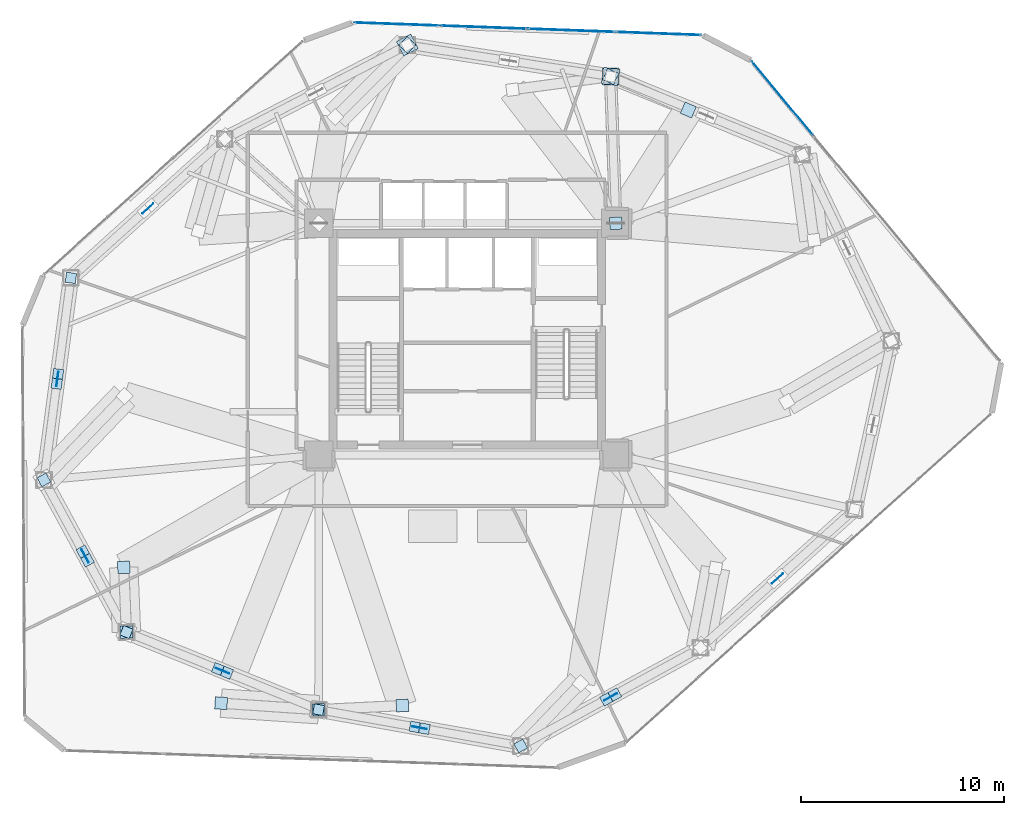
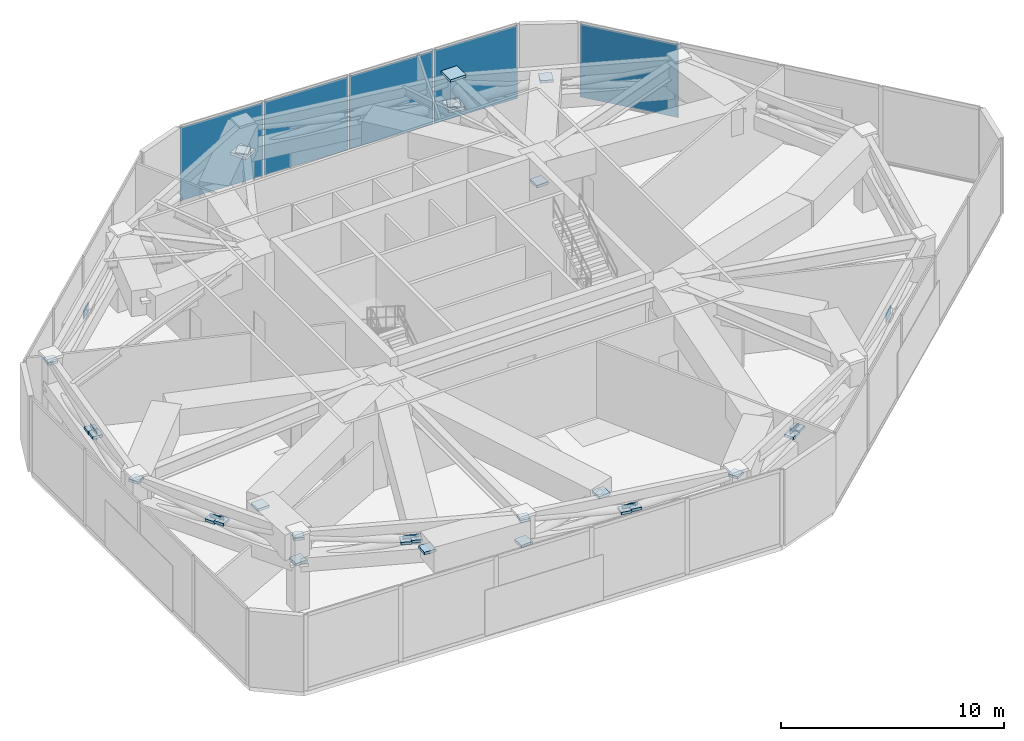
# One storey, part 20 of 25: 39 plates, 2 elements without a shape of their own.
"""IFC4 building model written with IfcOpenShell, lengths in metres."""

from ifc_helpers import new_model, si_unit, direction, frame, origin, origin_2d, place, context, subcontext, project, spatial, rectangle, extrude, source, transform, mapped, material, layer, layer_set, type_object, type_shapes, element, aggregate, save


model = new_model("IFC4")

# Units and contexts
model_context = context("Model", 3, precision=1e-05, world=origin(), true_north=direction((0.0, 1.0)))
body_context = subcontext(model_context, "Body", "Model", "MODEL_VIEW")
ifc_project = project(units=[si_unit("LENGTHUNIT", "METRE"), si_unit("AREAUNIT", "SQUARE_METRE"), si_unit("VOLUMEUNIT", "CUBIC_METRE"), si_unit("PLANEANGLEUNIT", "RADIAN"), si_unit("MASSUNIT", "GRAM", prefix="KILO")], contexts=[model_context])

# Site, building, storey
site_placement = place(None, origin())
site = spatial("IfcSite", under=ifc_project, at=site_placement, CompositionType="ELEMENT")
building_placement = place(site_placement, origin())
building = spatial("IfcBuilding", under=site, at=building_placement, Name="Talar Marvaseh", CompositionType="ELEMENT")
storey_placement = place(building_placement, frame((0.0, 0.0, 84.800048828125)))
storey = spatial("IfcBuildingStorey", under=building, at=storey_placement, Name="L21", CompositionType="ELEMENT", Elevation=84.800048828125)

# Plates
ifc_material_1 = material(Name="Steel S460", Category="steel")
ifc_layer_1 = layer(ifc_material_1, 0.02490234375)
ifc_layer_set_1 = layer_set([ifc_layer_1], Name="Steel S460")
plate_type_1 = type_object("IfcPlateType", Name="Crown Box End Closure Cap Plate 25", PredefinedType="USERDEFINED", material=ifc_layer_set_1)
shared_shape_1 = source(origin(), body_context, "Body", "SweptSolid", [
    extrude(rectangle(XDim=0.5, YDim=0.5, at=origin_2d()), origin(), (0.0, 0.0, 1.0), 0.139892578125),
])
type_shapes(plate_type_1, [shared_shape_1])
for number, where, z_axis, x_axis, name in (
    (1, (28.625, 11.195068359375, 3.77978515625), (0.0, 0.0, 1.0), (-0.877982975428, -0.478691857941, 0.0), "L21 Hollow Member End Cap Plate"),
    (2, (32.837646484375, 13.493896484375, 3.0732421875), (0.0, 0.0, 1.0), (0.877982975428, 0.478691857941, 0.0), "L21 Hollow Member End Cap Plate"),
    (3, (33.25537109375, 13.721923828125, 3.13671875), (0.0, 0.0, 1.0), (0.877982975428, 0.478691857941, 0.0), "L21 Hollow Member End Cap Plate"),
    (4, (18.68310546875, 12.97900390625, 3.77978515625), (0.0, 0.0, 1.0), (-0.984195607969, 0.17708474032, 0.0), "L21 Hollow Member End Cap Plate"),
    (5, (23.419921875, 12.12890625, 3.0732421875), (0.0, 0.0, 1.0), (0.984195607969, -0.17708474032, 0.0), "L21 Hollow Member End Cap Plate"),
    (6, (23.88818359375, 12.044921875, 3.13671875), (0.0, 0.0, 1.0), (0.984195607969, -0.17708474032, 0.0), "L21 Hollow Member End Cap Plate"),
    (7, (9.23193359375, 16.7958984375, 3.77978515625), (0.0, 0.0, 1.0), (-0.927183854567, 0.374606593416, 0.0), "L21 Hollow Member End Cap Plate"),
    (8, (13.73681640625, 14.9765625, 3.07373046875), (0.0, 0.0, 1.0), (0.927183854567, -0.374606593416, 0.0), "L21 Hollow Member End Cap Plate"),
    (9, (14.177978515625, 14.79833984375, 3.13671875), (0.0, 0.0, 1.0), (0.927183854567, -0.374606593416, 0.0), "L21 Hollow Member End Cap Plate"),
    (10, (5.175048828125, 24.27587890625, 3.77978515625), (0.0, 0.0, 1.0), (-0.47715876026, 0.878817112662, 0.0), "L21 Hollow Member End Cap Plate"),
    (11, (7.090576171875, 20.744384765625, 3.0673828125), (0.0, 0.0, 1.0), (0.47715876026, -0.878817112662, 0.0), "L21 Hollow Member End Cap Plate"),
    (12, (7.31640625, 20.32763671875, 3.142578125), (0.0, 0.0, 1.0), (0.47715876026, -0.878817112662, 0.0), "L21 Hollow Member End Cap Plate"),
    (13, (6.501953125, 34.214111328125, 3.77978515625), (0.0, 0.0, 1.0), (0.132256390257, 0.991215540252, 0.0), "L21 Hollow Member End Cap Plate"),
    (14, (5.8701171875, 29.480712890625, 3.0732421875), (0.0, 0.0, 1.0), (-0.132256390257, -0.991215540252, 0.0), "L21 Hollow Member End Cap Plate"),
    (15, (5.806884765625, 29.00927734375, 3.13720703125), (0.0, 0.0, 1.0), (-0.132256390257, -0.991215540252, 0.0), "L21 Hollow Member End Cap Plate"),
):
    element("IfcPlate", number, at=place(storey_placement, frame(where, z_axis=z_axis, x_axis=x_axis)), inside=storey, type_object=plate_type_1, Name=name, ObjectType="CAP_PLATE", PredefinedType="USERDEFINED", context=body_context, shape_type="MappedRepresentation", body=[
        mapped(shared_shape_1, transform((0.0, 0.0, 0.0), x_axis=(1.0, 0.0, 0.0), y_axis=(0.0, 1.0, 0.0), z_axis=(0.0, 0.0, 1.0), scale=1.0)),
    ])
ifc_layer_2 = layer(ifc_material_1, 0.034912109375)
ifc_layer_set_2 = layer_set([ifc_layer_2], Name="Steel S460")
plate_type_2 = type_object("IfcPlateType", Name="Belt Truss Post Closure Cap Plate 35", PredefinedType="USERDEFINED", material=ifc_layer_set_2)
shared_shape_2 = source(origin(), body_context, "Body", "SweptSolid", [
    extrude(rectangle(XDim=0.800048828125, YDim=0.800048828125, at=origin_2d()), origin(), (0.0, 0.0, 1.0), 0.139892578125),
])
for number, where, z_axis, x_axis, name in (
    (16, (23.047119140625, 45.6669921875, 2.43017578125), (0.0, 0.0, 1.0), (0.888617232655, 0.458649554484, 0.0), "L21 Hollow Member End Cap Plate"),
    (17, (33.0458984375, 44.117919921875, 2.43017578125), (0.0, 0.0, 1.0), (0.988228381447, -0.152985836284, 0.0), "L21 Hollow Member End Cap Plate"),
):
    element("IfcPlate", number, at=place(storey_placement, frame(where, z_axis=z_axis, x_axis=x_axis)), inside=storey, type_object=plate_type_2, Name=name, ObjectType="CAP_PLATE", PredefinedType="USERDEFINED", context=body_context, shape_type="MappedRepresentation", body=[
        mapped(shared_shape_2, transform((0.0, 0.0, 0.0), x_axis=(1.0, 0.0, 0.0), y_axis=(0.0, 1.0, 0.0), z_axis=(0.0, 0.0, 1.0), scale=1.0)),
    ])
ifc_layer_3 = layer(ifc_material_1, 0.030029296875)
ifc_layer_set_3 = layer_set([ifc_layer_3], Name="Steel S460")
plate_type_3 = type_object("IfcPlateType", Name="Heavy Box End Closure Cap Plate 30", PredefinedType="USERDEFINED", material=ifc_layer_set_3)
shared_shape_3 = source(origin(), body_context, "Body", "SweptSolid", [
    extrude(rectangle(XDim=0.60009765625, YDim=0.60009765625, at=origin_2d()), origin(), (0.0, 0.0, 1.0), 0.139892578125),
])
type_shapes(plate_type_3, [shared_shape_3])
for number, where, z_axis, x_axis, name in (
    (18, (33.300048828125, 36.89990234375, 2.52978515625), (0.0, 0.0, 1.0), (-0.034899496703, 0.999390827019, 0.0), "L21 Hollow Member End Cap Plate"),
    (19, (33.0458984375, 44.117919921875, 2.47998046875), (0.0, 0.0, 1.0), (0.918446381343, -0.395545502563, 0.0), "L21 Hollow Member End Cap Plate"),
    (20, (36.865966796875, 42.470947265625, 3.580078125), (0.0, 0.0, 1.0), (0.918446381343, -0.395545502563, 0.0), "L21 Hollow Member End Cap Plate"),
    (21, (18.68310546875, 12.97900390625, 2.47998046875), (0.0, 0.0, 1.0), (0.998806137341, 0.048849769796, 0.0), "L21 Hollow Member End Cap Plate"),
    (22, (22.804931640625, 13.18310546875, 3.580078125), (0.0, 0.0, 1.0), (0.998806137341, 0.048849769796, 0.0), "L21 Hollow Member End Cap Plate"),
    (23, (13.89111328125, 13.299072265625, 3.580078125), (0.0, 0.0, 1.0), (-0.997801468292, 0.0662739004, 0.0), "L21 Hollow Member End Cap Plate"),
    (24, (9.23193359375, 16.7958984375, 2.47998046875), (0.0, 0.0, 1.0), (-0.041875653729, 0.999122830099, 0.0), "L21 Hollow Member End Cap Plate"),
    (25, (9.10107421875, 19.97705078125, 3.580078125), (0.0, 0.0, 1.0), (-0.041875653729, 0.999122830099, 0.0), "L21 Hollow Member End Cap Plate"),
    (26, (23.047119140625, 45.6669921875, 2.47998046875), (0.0, 0.0, 1.0), (-0.707106781187, -0.707106781187, 0.0), "L21 Hollow Member End Cap Plate"),
):
    element("IfcPlate", number, at=place(storey_placement, frame(where, z_axis=z_axis, x_axis=x_axis)), inside=storey, type_object=plate_type_3, Name=name, ObjectType="CAP_PLATE", PredefinedType="USERDEFINED", context=body_context, shape_type="MappedRepresentation", body=[
        mapped(shared_shape_3, transform((0.0, 0.0, 0.0), x_axis=(1.0, 0.0, 0.0), y_axis=(0.0, 1.0, 0.0), z_axis=(0.0, 0.0, 1.0), scale=1.0)),
    ])
shared_shape_4 = source(origin(), body_context, "Body", "SweptSolid", [
    extrude(rectangle(XDim=0.820068359375, YDim=0.820068359375, at=origin_2d()), origin(), (0.0, 0.0, 1.0), 0.139892578125),
])
type_shapes(plate_type_2, [shared_shape_2, shared_shape_4])
plate_1_placement = place(storey_placement, frame((33.0458984375, 44.117919921875, 4.125), z_axis=(0.0, 0.0, 1.0), x_axis=(1.0, 0.0, 0.0)))
element("IfcPlate", 27, at=plate_1_placement, inside=storey, type_object=plate_type_2, Name="L21 Belt Truss Post Top Cap Plate", ObjectType="CAP_PLATE", PredefinedType="USERDEFINED", context=body_context, shape_type="MappedRepresentation", body=[
    mapped(shared_shape_4, transform((0.0, 0.0, 0.0), x_axis=(1.0, 0.0, 0.0), y_axis=(0.0, 1.0, 0.0), z_axis=(0.0, 0.0, 1.0), scale=1.0)),
])
ifc_layer_4 = layer(ifc_material_1, 0.030029296875)
ifc_layer_set_4 = layer_set([ifc_layer_4], Name="Steel S460")
plate_type_4 = type_object("IfcPlateType", Name="Belt Truss Node Gusset Plate 30", PredefinedType="USERDEFINED", material=ifc_layer_set_4)
shared_shape_5 = source(origin(), body_context, "Body", "SweptSolid", [
    extrude(rectangle(XDim=0.719970703125, YDim=0.030029296875, at=origin_2d()), origin(), (0.0, 0.0, 1.0), 0.47998046875),
])
type_shapes(plate_type_4, [shared_shape_5])
for number, where, z_axis, x_axis, name in (
    (28, (41.256103515625, 19.430419921875, 2.93505859375), (0.0, 0.0, 1.0), (-0.743144825477, -0.669130606359, 0.0), "L21 Belt Truss X-Crossing Gusset Plate 3"),
    (29, (33.04638671875, 13.60791015625, 2.93505859375), (0.0, 0.0, 1.0), (-0.877982975428, -0.478691857941, 0.0), "L21 Belt Truss X-Crossing Gusset Plate 4"),
    (30, (23.654052734375, 12.0869140625, 2.93505859375), (0.0, 0.0, 1.0), (-0.984195607969, 0.17708474032, 0.0), "L21 Belt Truss X-Crossing Gusset Plate 5"),
    (31, (13.95751953125, 14.887451171875, 2.93505859375), (0.0, 0.0, 1.0), (-0.927183854567, 0.374606593416, 0.0), "L21 Belt Truss X-Crossing Gusset Plate 6"),
    (32, (7.20361328125, 20.535888671875, 2.93505859375), (0.0, 0.0, 1.0), (-0.47715876026, 0.878817112662, 0.0), "L21 Belt Truss X-Crossing Gusset Plate 7"),
    (33, (5.83837890625, 29.2451171875, 2.93505859375), (0.0, 0.0, 1.0), (0.132256390257, 0.991215540252, 0.0), "L21 Belt Truss X-Crossing Gusset Plate 8"),
    (34, (10.285400390625, 37.62841796875, 2.93505859375), (0.0, 0.0, 1.0), (0.741975840976, 0.670426618959, 0.0), "L21 Belt Truss X-Crossing Gusset Plate 9"),
):
    element("IfcPlate", number, at=place(storey_placement, frame(where, z_axis=z_axis, x_axis=x_axis)), inside=storey, type_object=plate_type_4, Name=name, ObjectType="GUSSET_PLATE", PredefinedType="USERDEFINED", context=body_context, shape_type="MappedRepresentation", body=[
        mapped(shared_shape_5, transform((0.0, 0.0, 0.0), x_axis=(1.0, 0.0, 0.0), y_axis=(0.0, 1.0, 0.0), z_axis=(0.0, 0.0, 1.0), scale=1.0)),
    ])

# Curtain wall, plate
ifc_material_2 = material(Name="Architectural Aluminium", Category="aluminium")
ifc_layer_5 = layer(ifc_material_2, 0.219970703125)
ifc_layer_set_5 = layer_set([ifc_layer_5], Name="Architectural Aluminium")
curtain_wall_type = type_object("IfcCurtainWallType", Name="Unitised Low-E Museum Curtain Wall Z1", PredefinedType="NOTDEFINED", material=ifc_layer_set_5)
curtain_wall_1_placement = place(storey_placement, origin())
curtain_wall_1 = element("IfcCurtainWall", 35, at=curtain_wall_1_placement, inside=storey, type_object=curtain_wall_type, Name="L21 Unitised Low-E Museum Curtain Wall Z1", PredefinedType="NOTDEFINED")
ifc_material_3 = material(Name="Spandrel Insulated Glass", Category="glass")
ifc_layer_6 = layer(ifc_material_3, 0.035888671875)
ifc_layer_set_6 = layer_set([ifc_layer_6], Name="Spandrel Insulated Glass")
plate_type_5 = type_object("IfcPlateType", Name="Insulated Back-Painted Spandrel Curtain Panel 36", PredefinedType="CURTAIN_PANEL", material=ifc_layer_set_6)
shared_shape_6 = source(origin(), body_context, "Body", "SweptSolid", [
    extrude(rectangle(XDim=4.696533203125, YDim=0.035888671875, at=origin_2d()), origin(), (0.0, 0.0, 1.0), 4.0),
])
plate_2_placement = place(storey_placement, frame((41.50146484375, 43.044677734375, 0.074951171875), z_axis=(0.0, 0.0, 1.0), x_axis=(0.638146673184, -0.769914815745, 0.0)))
plate_2 = element("IfcPlate", 36, at=plate_2_placement, type_object=plate_type_5, Name="CW-Z1 panel 1.1", PredefinedType="CURTAIN_PANEL", context=body_context, shape_type="MappedRepresentation", body=[
    mapped(shared_shape_6, transform((0.0, 0.0, 0.0), x_axis=(1.0, 0.0, 0.0), y_axis=(0.0, 1.0, 0.0), z_axis=(0.0, 0.0, 1.0), scale=1.0)),
])
aggregate(curtain_wall_1, [plate_2])

# Curtain wall, plates
curtain_wall_2_placement = place(storey_placement, origin())
curtain_wall_2 = element("IfcCurtainWall", 37, at=curtain_wall_2_placement, inside=storey, type_object=curtain_wall_type, Name="L21 Unitised Low-E Museum Curtain Wall Z1", PredefinedType="NOTDEFINED")
shared_shape_7 = source(origin(), body_context, "Body", "SweptSolid", [
    extrude(rectangle(XDim=4.19189453125, YDim=0.035888671875, at=origin_2d()), origin(), (0.0, 0.0, 1.0), 4.0),
])
plate_3_placement = place(storey_placement, frame((22.52197265625, 46.6962890625, 0.074951171875), z_axis=(0.0, 0.0, 1.0), x_axis=(0.999348885761, -0.036080528393, 0.0)))
plate_3 = element("IfcPlate", 38, at=plate_3_placement, type_object=plate_type_5, Name="CW-Z1 panel 1.1", PredefinedType="CURTAIN_PANEL", context=body_context, shape_type="MappedRepresentation", body=[
    mapped(shared_shape_7, transform((0.0, 0.0, 0.0), x_axis=(1.0, 0.0, 0.0), y_axis=(0.0, 1.0, 0.0), z_axis=(0.0, 0.0, 1.0), scale=1.0)),
])
plate_4_placement = place(storey_placement, frame((35.4091796875, 46.23095703125, 0.074951171875), z_axis=(0.0, 0.0, 1.0), x_axis=(0.999348885761, -0.036080528393, 0.0)))
plate_4 = element("IfcPlate", 39, at=plate_4_placement, type_object=plate_type_5, Name="CW-Z1 panel 4.1", PredefinedType="CURTAIN_PANEL", context=body_context, shape_type="MappedRepresentation", body=[
    mapped(shared_shape_7, transform((0.0, 0.0, 0.0), x_axis=(1.0, 0.0, 0.0), y_axis=(0.0, 1.0, 0.0), z_axis=(0.0, 0.0, 1.0), scale=1.0)),
])
shared_shape_8 = source(origin(), body_context, "Body", "SweptSolid", [
    extrude(rectangle(XDim=4.23193359375, YDim=0.035888671875, at=origin_2d()), origin(), (0.0, 0.0, 1.0), 4.0),
])
type_shapes(plate_type_5, [shared_shape_6, shared_shape_7, shared_shape_8])
plate_5_placement = place(storey_placement, frame((26.81103515625, 46.541259765625, 0.074951171875), z_axis=(0.0, 0.0, 1.0), x_axis=(0.999348885761, -0.036080528393, 0.0)))
plate_5 = element("IfcPlate", 40, at=plate_5_placement, type_object=plate_type_5, Name="CW-Z1 panel 2.1", PredefinedType="CURTAIN_PANEL", context=body_context, shape_type="MappedRepresentation", body=[
    mapped(shared_shape_8, transform((0.0, 0.0, 0.0), x_axis=(1.0, 0.0, 0.0), y_axis=(0.0, 1.0, 0.0), z_axis=(0.0, 0.0, 1.0), scale=1.0)),
])
plate_6_placement = place(storey_placement, frame((31.1201171875, 46.3857421875, 0.074951171875), z_axis=(0.0, 0.0, 1.0), x_axis=(0.999348885761, -0.036080528393, 0.0)))
plate_6 = element("IfcPlate", 41, at=plate_6_placement, type_object=plate_type_5, Name="CW-Z1 panel 3.1", PredefinedType="CURTAIN_PANEL", context=body_context, shape_type="MappedRepresentation", body=[
    mapped(shared_shape_8, transform((0.0, 0.0, 0.0), x_axis=(1.0, 0.0, 0.0), y_axis=(0.0, 1.0, 0.0), z_axis=(0.0, 0.0, 1.0), scale=1.0)),
])
aggregate(curtain_wall_2, [plate_3, plate_5, plate_6, plate_4])

save(model, "model.ifc")
